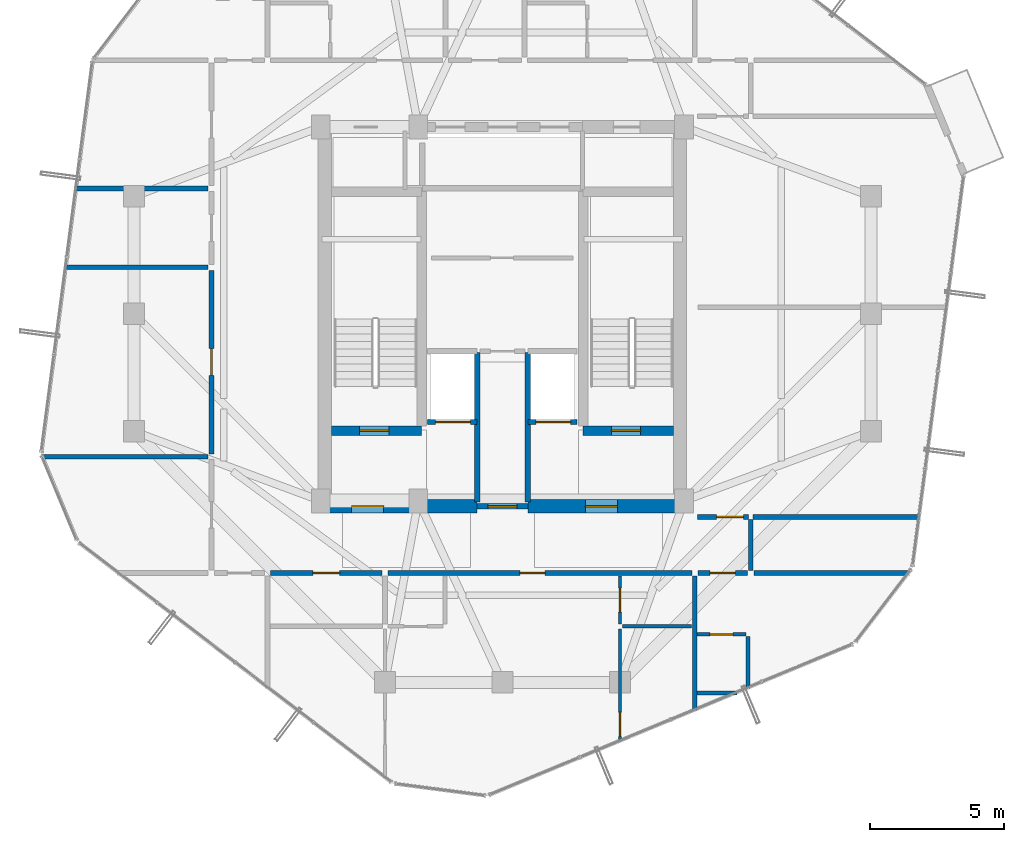
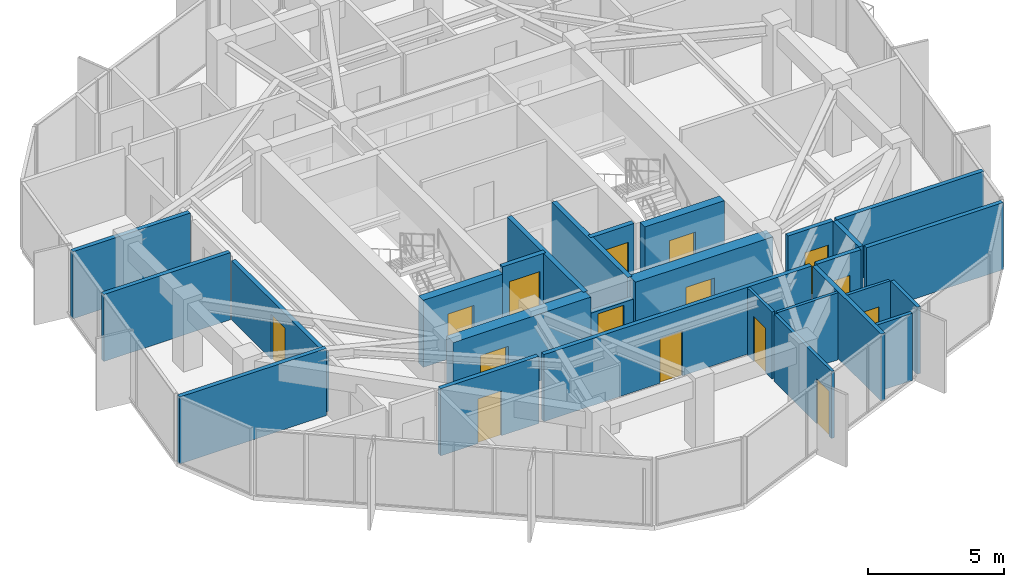
# One storey, part 27 of 31: 27 walls, 15 doors, 15 openings.
"""IFC4 building model written with IfcOpenShell, lengths in metres."""

from ifc_helpers import new_model, si_unit, direction, frame, frame_2d, origin, place, context, subcontext, project, spatial, rectangle, extrude, source, transform, mapped, material, layer, layer_set, type_object, element, fill, save


model = new_model("IFC4")

# Units and contexts
model_context = context("Model", 3, precision=1e-05, world=origin(), true_north=direction((0.0, 1.0)))
body_context = subcontext(model_context, "Body", "Model", "MODEL_VIEW")
ifc_project = project(units=[si_unit("LENGTHUNIT", "METRE"), si_unit("AREAUNIT", "SQUARE_METRE"), si_unit("VOLUMEUNIT", "CUBIC_METRE"), si_unit("PLANEANGLEUNIT", "RADIAN"), si_unit("MASSUNIT", "GRAM", prefix="KILO")], contexts=[model_context])

# Site, building, storey
site_placement = place(None, origin())
site = spatial("IfcSite", under=ifc_project, at=site_placement, CompositionType="ELEMENT")
building_placement = place(site_placement, origin())
building = spatial("IfcBuilding", under=site, at=building_placement, Name="Veraguas Prism Commons", CompositionType="ELEMENT")
storey_placement = place(building_placement, frame((0.0, 0.0, 233.300048828125)))
storey = spatial("IfcBuildingStorey", under=building, at=storey_placement, Name="L66", CompositionType="ELEMENT", Elevation=233.300048828125)

# Wall, opening, door
ifc_material_1 = material(Name="Concrete C50/60", Category="concrete")
ifc_layer_1 = layer(ifc_material_1, 0.35009765625, Name="Core Internal Shear Wall Upper RC 350", Category="concrete")
ifc_layer_set_1 = layer_set([ifc_layer_1], Name="Concrete C50/60")
wall_type_1 = type_object("IfcWallType", Name="Core Internal Shear Wall Upper RC 350", PredefinedType="SHEAR", material=ifc_layer_set_1)
wall_1_placement = place(storey_placement, frame((17.60009765625, 19.625, 0.0), z_axis=(0.0, 0.0, 1.0), x_axis=(1.0, 0.0, 0.0)))
wall_1 = element("IfcWall", 1, at=wall_1_placement, inside=storey, type_object=wall_type_1, Name="Stair ST-01 South Shear Wall L66", PredefinedType="SHEAR", context=body_context, shape_type="SweptSolid", body=[
    extrude(rectangle(XDim=3.375, YDim=0.35009765625, at=frame_2d((1.6875, 0.0))), origin(), (0.0, 0.0, 1.0), 3.014892578125),
])
opening_1_placement = place(wall_1_placement, frame((1.050048828125, 0.0, 0.0)))
opening_1 = element("IfcOpeningElement", 2, at=opening_1_placement, cuts=wall_1, Name="Opening DR-05", PredefinedType="OPENING", context=body_context, shape_type="SweptSolid", body=[
    extrude(rectangle(XDim=1.10009765625, YDim=2.030029296875, at=frame_2d((0.550048828125, 1.01513671875))), frame((0.0, 0.18505859375, 0.0), z_axis=(0.0, -1.0, 0.0), x_axis=(1.0, 0.0, 0.0)), (0.0, 0.0, 1.0), 0.3701171875),
])
ifc_material_2 = material(Name="Steel fire-rated door assembly", Category="steel")
door_type_1 = type_object("IfcDoorType", Name="Protected Stair and Refuge Fire Door 1100x2030", OperationType="NOTDEFINED", PredefinedType="DOOR", material=ifc_material_2)
shared_shape_1 = source(origin(), body_context, "Body", "SweptSolid", [
    extrude(rectangle(XDim=1.10009765625, YDim=2.030029296875, at=frame_2d((0.550048828125, 1.01513671875))), frame((0.0, 0.02490234375, 0.0), z_axis=(0.0, -1.0, 0.0), x_axis=(1.0, 0.0, 0.0)), (0.0, 0.0, 1.0), 0.050048828125),
])
door_1_placement = place(opening_1_placement, origin())
door_1 = element("IfcDoor", 3, at=door_1_placement, inside=storey, type_object=door_type_1, Name="Stair ST-01 Enclosure Door L66", OperationType="SINGLE_SWING_LEFT", OverallHeight=2.030029296875, OverallWidth=1.10009765625, PredefinedType="DOOR", context=body_context, shape_type="MappedRepresentation", body=[
    mapped(shared_shape_1, transform((0.0, 0.0, 0.0), scale=1.0)),
])
fill(opening_1, door_1)

wall_2_placement = place(storey_placement, frame((27.02490234375, 19.625, 0.0), z_axis=(0.0, 0.0, 1.0), x_axis=(1.0, 0.0, 0.0)))
wall_2 = element("IfcWall", 4, at=wall_2_placement, inside=storey, type_object=wall_type_1, Name="Stair ST-02 South Shear Wall L66", PredefinedType="SHEAR", context=body_context, shape_type="SweptSolid", body=[
    extrude(rectangle(XDim=3.375, YDim=0.35009765625, at=frame_2d((1.6875, 0.0))), origin(), (0.0, 0.0, 1.0), 3.014892578125),
])
opening_2_placement = place(wall_2_placement, frame((1.050048828125, 0.0, 0.0)))
opening_2 = element("IfcOpeningElement", 5, at=opening_2_placement, cuts=wall_2, Name="Opening DR-05", PredefinedType="OPENING", context=body_context, shape_type="SweptSolid", body=[
    extrude(rectangle(XDim=1.10009765625, YDim=2.030029296875, at=frame_2d((0.550048828125, 1.01513671875))), frame((0.0, 0.18505859375, 0.0), z_axis=(0.0, -1.0, 0.0), x_axis=(1.0, 0.0, 0.0)), (0.0, 0.0, 1.0), 0.3701171875),
])
door_2_placement = place(opening_2_placement, origin())
door_2 = element("IfcDoor", 6, at=door_2_placement, inside=storey, type_object=door_type_1, Name="Stair ST-02 Enclosure Door L66", OperationType="SINGLE_SWING_RIGHT", OverallHeight=2.030029296875, OverallWidth=1.10009765625, PredefinedType="DOOR", context=body_context, shape_type="MappedRepresentation", body=[
    mapped(shared_shape_1, transform((0.0, 0.0, 0.0), scale=1.0)),
])
fill(opening_2, door_2)

ifc_layer_2 = layer(ifc_material_1, 0.5, Name="Core Outer Shear Wall Upper RC 500", Category="concrete")
ifc_layer_set_2 = layer_set([ifc_layer_2], Name="Concrete C50/60")
wall_type_2 = type_object("IfcWallType", Name="Core Outer Shear Wall Upper RC 500", PredefinedType="SHEAR", material=ifc_layer_set_2)
wall_3_placement = place(storey_placement, frame((17.199951171875, 16.800048828125, 0.0), z_axis=(0.0, 0.0, 1.0), x_axis=(1.0, 0.0, 0.0)))
wall_3 = element("IfcWall", 7, at=wall_3_placement, inside=storey, type_object=wall_type_2, Name="Central Core South-West Shear Wall L66", PredefinedType="SHEAR", context=body_context, shape_type="SweptSolid", body=[
    extrude(rectangle(XDim=5.85009765625, YDim=0.5, at=frame_2d((2.925048828125, 0.0))), origin(), (0.0, 0.0, 1.0), 3.014892578125),
])
opening_3_placement = place(wall_3_placement, frame((1.14990234375, 0.0, 0.0)))
opening_3 = element("IfcOpeningElement", 8, at=opening_3_placement, cuts=wall_3, Name="Opening DR-06", PredefinedType="OPENING", context=body_context, shape_type="SweptSolid", body=[
    extrude(rectangle(XDim=1.199951171875, YDim=2.030029296875, at=frame_2d((0.60009765625, 1.01513671875))), frame((0.0, 0.260009765625, 0.0), z_axis=(0.0, -1.0, 0.0), x_axis=(1.0, 0.0, 0.0)), (0.0, 0.0, 1.0), 0.52001953125),
])
door_type_2 = type_object("IfcDoorType", Name="Firefighting Lobby Smoke Door 1200x2030", OperationType="NOTDEFINED", PredefinedType="DOOR", material=ifc_material_2)
shared_shape_2 = source(origin(), body_context, "Body", "SweptSolid", [
    extrude(rectangle(XDim=1.199951171875, YDim=2.030029296875, at=frame_2d((0.60009765625, 1.01513671875))), frame((0.0, 0.02490234375, 0.0), z_axis=(0.0, -1.0, 0.0), x_axis=(1.0, 0.0, 0.0)), (0.0, 0.0, 1.0), 0.050048828125),
])
door_3_placement = place(opening_3_placement, origin())
door_3 = element("IfcDoor", 9, at=door_3_placement, inside=storey, type_object=door_type_2, Name="West FF Lobby Door L66", OperationType="SINGLE_SWING_RIGHT", OverallHeight=2.030029296875, OverallWidth=1.199951171875, PredefinedType="DOOR", context=body_context, shape_type="MappedRepresentation", body=[
    mapped(shared_shape_2, transform((0.0, 0.0, 0.0), scale=1.0)),
])
fill(opening_3, door_3)

wall_4_placement = place(storey_placement, frame((24.949951171875, 16.800048828125, 0.0), z_axis=(0.0, 0.0, 1.0), x_axis=(1.0, 0.0, 0.0)))
wall_4 = element("IfcWall", 10, at=wall_4_placement, inside=storey, type_object=wall_type_2, Name="Central Core South-East Shear Wall L66", PredefinedType="SHEAR", context=body_context, shape_type="SweptSolid", body=[
    extrude(rectangle(XDim=5.85009765625, YDim=0.5, at=frame_2d((2.925048828125, 0.0))), origin(), (0.0, 0.0, 1.0), 3.014892578125),
])
opening_4_placement = place(wall_4_placement, frame((2.14990234375, 0.0, 0.0)))
opening_4 = element("IfcOpeningElement", 11, at=opening_4_placement, cuts=wall_4, Name="Opening DR-06", PredefinedType="OPENING", context=body_context, shape_type="SweptSolid", body=[
    extrude(rectangle(XDim=1.199951171875, YDim=2.030029296875, at=frame_2d((0.60009765625, 1.01513671875))), frame((0.0, 0.260009765625, 0.0), z_axis=(0.0, -1.0, 0.0), x_axis=(1.0, 0.0, 0.0)), (0.0, 0.0, 1.0), 0.52001953125),
])
door_4_placement = place(opening_4_placement, origin())
door_4 = element("IfcDoor", 12, at=door_4_placement, inside=storey, type_object=door_type_2, Name="East FF Lobby Door L66", OperationType="SINGLE_SWING_RIGHT", OverallHeight=2.030029296875, OverallWidth=1.199951171875, PredefinedType="DOOR", context=body_context, shape_type="MappedRepresentation", body=[
    mapped(shared_shape_2, transform((0.0, 0.0, 0.0), scale=1.0)),
])
fill(opening_4, door_4)

# Wall
ifc_material_3 = material(Name="Autoclaved aerated masonry block 10 MPa", Category="masonry")
ifc_layer_3 = layer(ifc_material_3, 0.179931640625, Name="Corridor and Inter-Tenancy Partition 180", Category="masonry")
ifc_layer_set_3 = layer_set([ifc_layer_3], Name="Autoclaved aerated masonry block 10 MPa")
wall_type_3 = type_object("IfcWallType", Name="Corridor and Inter-Tenancy Partition 180", PredefinedType="PARTITIONING", material=ifc_layer_set_3)
wall_5_placement = place(storey_placement, frame((31.199951171875, 14.179931640625, 0.0), z_axis=(0.0, 0.0, 1.0), x_axis=(0.0, -1.0, 0.0)))
element("IfcWall", 13, at=wall_5_placement, inside=storey, type_object=wall_type_3, Name="WL-L66-PT002", PredefinedType="PARTITIONING", context=body_context, shape_type="SweptSolid", body=[
    extrude(rectangle(XDim=5.03955078125, YDim=0.179931640625, at=frame_2d((2.519775390625, 0.0))), origin(), (0.0, 0.0, 1.0), 3.014892578125),
])

# Wall, opening, door
wall_6_placement = place(storey_placement, frame((15.31005859375, 14.300048828125, 0.0), z_axis=(0.0, 0.0, 1.0), x_axis=(1.0, 0.0, 0.0)))
wall_6 = element("IfcWall", 14, at=wall_6_placement, inside=storey, type_object=wall_type_3, Name="WL-L66-PT003", PredefinedType="PARTITIONING", context=body_context, shape_type="SweptSolid", body=[
    extrude(rectangle(XDim=4.179931640625, YDim=0.179931640625, at=frame_2d((2.08984375, 0.0))), origin(), (0.0, 0.0, 1.0), 3.014892578125),
])
opening_5_placement = place(wall_6_placement, frame((1.590087890625, 0.0, 0.0)))
opening_5 = element("IfcOpeningElement", 15, at=opening_5_placement, cuts=wall_6, Name="Opening DR-13", PredefinedType="OPENING", context=body_context, shape_type="SweptSolid", body=[
    extrude(rectangle(XDim=1.0, YDim=2.010009765625, at=frame_2d((0.5, 1.0048828125))), frame((0.0, 0.099853515625, 0.0), z_axis=(0.0, -1.0, 0.0), x_axis=(1.0, 0.0, 0.0)), (0.0, 0.0, 1.0), 0.199951171875),
])
door_type_3 = type_object("IfcDoorType", Name="Core Accessible WC and Clinic Fire Door 1000x2010", OperationType="NOTDEFINED", PredefinedType="DOOR", material=ifc_material_2)
shared_shape_3 = source(origin(), body_context, "Body", "SweptSolid", [
    extrude(rectangle(XDim=1.0, YDim=2.010009765625, at=frame_2d((0.5, 1.0048828125))), frame((0.0, 0.02490234375, 0.0), z_axis=(0.0, -1.0, 0.0), x_axis=(1.0, 0.0, 0.0)), (0.0, 0.0, 1.0), 0.050048828125),
])
door_5_placement = place(opening_5_placement, origin())
door_5 = element("IfcDoor", 16, at=door_5_placement, inside=storey, type_object=door_type_3, Name="Residents Study Alcove 66A Door", OperationType="SINGLE_SWING_LEFT", OverallHeight=2.010009765625, OverallWidth=1.0, PredefinedType="DOOR", context=body_context, shape_type="MappedRepresentation", body=[
    mapped(shared_shape_3, transform((0.0, 0.0, 0.0), scale=1.0)),
])
fill(opening_5, door_5)

wall_7_placement = place(storey_placement, frame((19.7099609375, 14.300048828125, 0.0), z_axis=(0.0, 0.0, 1.0), x_axis=(1.0, 0.0, 0.0)))
wall_7 = element("IfcWall", 17, at=wall_7_placement, inside=storey, type_object=wall_type_3, Name="WL-L66-PT004", PredefinedType="PARTITIONING", context=body_context, shape_type="SweptSolid", body=[
    extrude(rectangle(XDim=11.380126953125, YDim=0.179931640625, at=frame_2d((5.68994140625, 0.0))), origin(), (0.0, 0.0, 1.0), 3.014892578125),
])
opening_6_placement = place(wall_7_placement, frame((4.93994140625, 0.0, 0.0)))
opening_6 = element("IfcOpeningElement", 18, at=opening_6_placement, cuts=wall_7, Name="Opening DR-01", PredefinedType="OPENING", context=body_context, shape_type="SweptSolid", body=[
    extrude(rectangle(XDim=0.949951171875, YDim=2.02001953125, at=frame_2d((0.47509765625, 1.010009765625))), frame((0.0, 0.099853515625, 0.0), z_axis=(0.0, -1.0, 0.0), x_axis=(1.0, 0.0, 0.0)), (0.0, 0.0, 1.0), 0.199951171875),
])
ifc_material_4 = material(Name="Anodised aluminium EN AW-6063 T6", Category="aluminium")
door_type_4 = type_object("IfcDoorType", Name="Apartment Entrance Fire Door 950x2020", OperationType="NOTDEFINED", PredefinedType="DOOR", material=ifc_material_4)
shared_shape_4 = source(origin(), body_context, "Body", "SweptSolid", [
    extrude(rectangle(XDim=0.949951171875, YDim=2.02001953125, at=frame_2d((0.47509765625, 1.010009765625))), frame((0.0, 0.02490234375, 0.0), z_axis=(0.0, -1.0, 0.0), x_axis=(1.0, 0.0, 0.0)), (0.0, 0.0, 1.0), 0.050048828125),
])
door_6_placement = place(opening_6_placement, origin())
door_6 = element("IfcDoor", 19, at=door_6_placement, inside=storey, type_object=door_type_4, Name="Flat 66A Entrance Door", OperationType="SINGLE_SWING_RIGHT", OverallHeight=2.02001953125, OverallWidth=0.949951171875, PredefinedType="DOOR", context=body_context, shape_type="MappedRepresentation", body=[
    mapped(shared_shape_4, transform((0.0, 0.0, 0.0), scale=1.0)),
])
fill(opening_6, door_6)

wall_8_placement = place(storey_placement, frame((13.10009765625, 18.759033203125, 0.0), z_axis=(0.0, 0.0, 1.0), x_axis=(0.0, 1.0, 0.0)))
wall_8 = element("IfcWall", 20, at=wall_8_placement, inside=storey, type_object=wall_type_3, Name="WL-L66-PT027", PredefinedType="PARTITIONING", context=body_context, shape_type="SweptSolid", body=[
    extrude(rectangle(XDim=6.875, YDim=0.179931640625, at=frame_2d((3.4375, 0.0))), origin(), (0.0, 0.0, 1.0), 2.661865234375),
])
opening_7_placement = place(wall_8_placement, frame((2.9375, 0.0, 0.0)))
opening_7 = element("IfcOpeningElement", 21, at=opening_7_placement, cuts=wall_8, Name="Opening DR-13", PredefinedType="OPENING", context=body_context, shape_type="SweptSolid", body=[
    extrude(rectangle(XDim=1.0, YDim=2.010009765625, at=frame_2d((0.5, 1.0048828125))), frame((0.0, 0.099853515625, 0.0), z_axis=(0.0, -1.0, 0.0), x_axis=(1.0, 0.0, 0.0)), (0.0, 0.0, 1.0), 0.199951171875),
])
door_7_placement = place(opening_7_placement, origin())
door_7 = element("IfcDoor", 22, at=door_7_placement, inside=storey, type_object=door_type_3, Name="Co-op Store W Door", OperationType="SINGLE_SWING_LEFT", OverallHeight=2.010009765625, OverallWidth=1.0, PredefinedType="DOOR", context=body_context, shape_type="MappedRepresentation", body=[
    mapped(shared_shape_3, transform((0.0, 0.0, 0.0), scale=1.0)),
])
fill(opening_7, door_7)

# Walls
wall_9_placement = place(storey_placement, frame((12.97998046875, 18.64892578125, 0.0), z_axis=(0.0, 0.0, 1.0), x_axis=(-1.0, 0.0, 0.0)))
element("IfcWall", 23, at=wall_9_placement, inside=storey, type_object=wall_type_3, Name="WL-L66-PT028", PredefinedType="PARTITIONING", context=body_context, shape_type="SweptSolid", body=[
    extrude(rectangle(XDim=6.24951171875, YDim=0.179931640625, at=frame_2d((3.124755859375, 0.0))), origin(), (0.0, 0.0, 1.0), 3.014892578125),
])
wall_10_placement = place(storey_placement, frame((12.97998046875, 25.743896484375, 0.0), z_axis=(0.0, 0.0, 1.0), x_axis=(-1.0, 0.0, 0.0)))
element("IfcWall", 24, at=wall_10_placement, inside=storey, type_object=wall_type_3, Name="WL-L66-PT029", PredefinedType="PARTITIONING", context=body_context, shape_type="SweptSolid", body=[
    extrude(rectangle(XDim=5.376708984375, YDim=0.179931640625, at=frame_2d((2.6884765625, 0.0))), origin(), (0.0, 0.0, 1.0), 3.014892578125),
])
wall_11_placement = place(storey_placement, frame((12.97998046875, 28.69091796875, 0.0), z_axis=(0.0, 0.0, 1.0), x_axis=(-1.0, 0.0, 0.0)))
element("IfcWall", 25, at=wall_11_placement, inside=storey, type_object=wall_type_3, Name="WL-L66-PT032", PredefinedType="PARTITIONING", context=body_context, shape_type="SweptSolid", body=[
    extrude(rectangle(XDim=4.990966796875, YDim=0.179931640625, at=frame_2d((2.49560546875, 0.0))), origin(), (0.0, 0.0, 1.0), 3.014892578125),
])
wall_12_placement = place(storey_placement, frame((33.300048828125, 14.39990234375, 0.0), z_axis=(0.0, 0.0, 1.0), x_axis=(0.0, 1.0, 0.0)))
element("IfcWall", 26, at=wall_12_placement, inside=storey, type_object=wall_type_3, Name="WL-L66-PT034", PredefinedType="PARTITIONING", context=body_context, shape_type="SweptSolid", body=[
    extrude(rectangle(XDim=1.900146484375, YDim=0.179931640625, at=frame_2d((0.9501953125, 0.0))), origin(), (0.0, 0.0, 1.0), 3.014892578125),
])

# Wall, opening, door
wall_13_placement = place(storey_placement, frame((31.300048828125, 16.39990234375, 0.0), z_axis=(0.0, 0.0, 1.0), x_axis=(1.0, 0.0, 0.0)))
wall_13 = element("IfcWall", 27, at=wall_13_placement, inside=storey, type_object=wall_type_3, Name="WL-L66-PT036", PredefinedType="PARTITIONING", context=body_context, shape_type="SweptSolid", body=[
    extrude(rectangle(XDim=1.919921875, YDim=0.179931640625, at=frame_2d((0.9599609375, 0.0))), origin(), (0.0, 0.0, 1.0), 3.014892578125),
])
opening_8_placement = place(wall_13_placement, frame((0.719970703125, 0.0, 0.0)))
opening_8 = element("IfcOpeningElement", 28, at=opening_8_placement, cuts=wall_13, Name="Opening DR-13", PredefinedType="OPENING", context=body_context, shape_type="SweptSolid", body=[
    extrude(rectangle(XDim=1.0, YDim=2.010009765625, at=frame_2d((0.5, 1.0048828125))), frame((0.0, 0.099853515625, 0.0), z_axis=(0.0, -1.0, 0.0), x_axis=(1.0, 0.0, 0.0)), (0.0, 0.0, 1.0), 0.199951171875),
])
door_8_placement = place(opening_8_placement, origin())
door_8 = element("IfcDoor", 29, at=door_8_placement, inside=storey, type_object=door_type_3, Name="Panorama Lounge Door L66", OperationType="SINGLE_SWING_RIGHT", OverallHeight=2.010009765625, OverallWidth=1.0, PredefinedType="DOOR", context=body_context, shape_type="MappedRepresentation", body=[
    mapped(shared_shape_3, transform((0.0, 0.0, 0.0), scale=1.0)),
])
fill(opening_8, door_8)

# Walls
wall_14_placement = place(storey_placement, frame((33.3798828125, 16.39990234375, 0.0), z_axis=(0.0, 0.0, 1.0), x_axis=(1.0, 0.0, 0.0)))
element("IfcWall", 30, at=wall_14_placement, inside=storey, type_object=wall_type_3, Name="WL-L66-PT037", PredefinedType="PARTITIONING", context=body_context, shape_type="SweptSolid", body=[
    extrude(rectangle(XDim=6.25, YDim=0.179931640625, at=frame_2d((3.125, 0.0))), origin(), (0.0, 0.0, 1.0), 3.014892578125),
])
wall_15_placement = place(storey_placement, frame((33.419921875, 14.300048828125, 0.0), z_axis=(0.0, 0.0, 1.0), x_axis=(1.0, 0.0, 0.0)))
element("IfcWall", 31, at=wall_15_placement, inside=storey, type_object=wall_type_3, Name="WL-L66-PT041", PredefinedType="PARTITIONING", context=body_context, shape_type="SweptSolid", body=[
    extrude(rectangle(XDim=5.826171875, YDim=0.179931640625, at=frame_2d((2.9130859375, 0.0))), origin(), (0.0, 0.0, 1.0), 3.014892578125),
])

# Wall, opening, door
wall_16_placement = place(storey_placement, frame((31.320068359375, 14.300048828125, 0.0), z_axis=(0.0, 0.0, 1.0), x_axis=(1.0, 0.0, 0.0)))
wall_16 = element("IfcWall", 32, at=wall_16_placement, inside=storey, type_object=wall_type_3, Name="WL-L66-PT042", PredefinedType="PARTITIONING", context=body_context, shape_type="SweptSolid", body=[
    extrude(rectangle(XDim=1.85986328125, YDim=0.179931640625, at=frame_2d((0.929931640625, 0.0))), origin(), (0.0, 0.0, 1.0), 3.014892578125),
])
opening_9_placement = place(wall_16_placement, frame((0.455078125, 0.0, 0.0)))
opening_9 = element("IfcOpeningElement", 33, at=opening_9_placement, cuts=wall_16, Name="Opening DR-01", PredefinedType="OPENING", context=body_context, shape_type="SweptSolid", body=[
    extrude(rectangle(XDim=0.949951171875, YDim=2.02001953125, at=frame_2d((0.47509765625, 1.010009765625))), frame((0.0, 0.099853515625, 0.0), z_axis=(0.0, -1.0, 0.0), x_axis=(1.0, 0.0, 0.0)), (0.0, 0.0, 1.0), 0.199951171875),
])
door_9_placement = place(opening_9_placement, origin())
door_9 = element("IfcDoor", 34, at=door_9_placement, inside=storey, type_object=door_type_4, Name="Studio 66D Entrance Door", OperationType="SINGLE_SWING_LEFT", OverallHeight=2.02001953125, OverallWidth=0.949951171875, PredefinedType="DOOR", context=body_context, shape_type="MappedRepresentation", body=[
    mapped(shared_shape_4, transform((0.0, 0.0, 0.0), scale=1.0)),
])
fill(opening_9, door_9)

ifc_material_5 = material(Name="Lightweight acoustic gypsum board")
ifc_layer_4 = layer(ifc_material_5, 0.125, Name="Internal Apartment Room Partition 125")
ifc_layer_set_4 = layer_set([ifc_layer_4], Name="Lightweight acoustic gypsum board")
wall_type_4 = type_object("IfcWallType", Name="Internal Apartment Room Partition 125", PredefinedType="PARTITIONING", material=ifc_layer_set_4)
wall_17_placement = place(storey_placement, frame((28.39990234375, 14.179931640625, 0.0), z_axis=(0.0, 0.0, 1.0), x_axis=(0.0, -1.0, 0.0)))
wall_17 = element("IfcWall", 35, at=wall_17_placement, inside=storey, type_object=wall_type_4, Name="WL-L66-PT010", PredefinedType="PARTITIONING", context=body_context, shape_type="SweptSolid", body=[
    extrude(rectangle(XDim=1.800048828125, YDim=0.125, at=frame_2d((0.89990234375, 0.0))), origin(), (0.0, 0.0, 1.0), 3.014892578125),
])
opening_10_placement = place(wall_17_placement, frame((0.449951171875, 0.0, 0.0)))
opening_10 = element("IfcOpeningElement", 36, at=opening_10_placement, cuts=wall_17, Name="Opening DR-02", PredefinedType="OPENING", context=body_context, shape_type="SweptSolid", body=[
    extrude(rectangle(XDim=0.89990234375, YDim=2.010009765625, at=frame_2d((0.449951171875, 1.0048828125))), frame((0.0, 0.072509765625, 0.0), z_axis=(0.0, -1.0, 0.0), x_axis=(1.0, 0.0, 0.0)), (0.0, 0.0, 1.0), 0.14501953125),
])
ifc_material_6 = material(Name="Timber solid core hardwood", Category="wood")
door_type_5 = type_object("IfcDoorType", Name="Internal Habitable Room Door 900x2010", OperationType="NOTDEFINED", PredefinedType="DOOR", material=ifc_material_6)
shared_shape_5 = source(origin(), body_context, "Body", "SweptSolid", [
    extrude(rectangle(XDim=0.89990234375, YDim=2.010009765625, at=frame_2d((0.449951171875, 1.0048828125))), frame((0.0, 0.02490234375, 0.0), z_axis=(0.0, -1.0, 0.0), x_axis=(1.0, 0.0, 0.0)), (0.0, 0.0, 1.0), 0.050048828125),
])
door_10_placement = place(opening_10_placement, origin())
door_10 = element("IfcDoor", 37, at=door_10_placement, inside=storey, type_object=door_type_5, Name="Flat 66A Kitchen Door", OperationType="SINGLE_SWING_LEFT", OverallHeight=2.010009765625, OverallWidth=0.89990234375, PredefinedType="DOOR", context=body_context, shape_type="MappedRepresentation", body=[
    mapped(shared_shape_5, transform((0.0, 0.0, 0.0), scale=1.0)),
])
fill(opening_10, door_10)

# Wall
wall_18_placement = place(storey_placement, frame((28.5, 12.300048828125, 0.0), z_axis=(0.0, 0.0, 1.0), x_axis=(1.0, 0.0, 0.0)))
element("IfcWall", 38, at=wall_18_placement, inside=storey, type_object=wall_type_4, Name="WL-L66-PT011", PredefinedType="PARTITIONING", context=body_context, shape_type="SweptSolid", body=[
    extrude(rectangle(XDim=2.580078125, YDim=0.125, at=frame_2d((1.2900390625, 0.0))), origin(), (0.0, 0.0, 1.0), 3.014892578125),
])

# Wall, opening, door
wall_19_placement = place(storey_placement, frame((28.39990234375, 12.199951171875, 0.0), z_axis=(0.0, 0.0, 1.0), x_axis=(0.0, -1.0, 0.0)))
wall_19 = element("IfcWall", 39, at=wall_19_placement, inside=storey, type_object=wall_type_4, Name="WL-L66-PT012", PredefinedType="PARTITIONING", context=body_context, shape_type="SweptSolid", body=[
    extrude(rectangle(XDim=4.2216796875, YDim=0.125, at=frame_2d((2.11083984375, 0.0))), origin(), (0.0, 0.0, 1.0), 3.014892578125),
])
opening_11_placement = place(wall_19_placement, frame((3.12158203125, 0.0, 0.0)))
opening_11 = element("IfcOpeningElement", 40, at=opening_11_placement, cuts=wall_19, Name="Opening DR-02", PredefinedType="OPENING", context=body_context, shape_type="SweptSolid", body=[
    extrude(rectangle(XDim=0.89990234375, YDim=2.010009765625, at=frame_2d((0.449951171875, 1.0048828125))), frame((0.0, 0.072509765625, 0.0), z_axis=(0.0, -1.0, 0.0), x_axis=(1.0, 0.0, 0.0)), (0.0, 0.0, 1.0), 0.14501953125),
])
door_11_placement = place(opening_11_placement, origin())
door_11 = element("IfcDoor", 41, at=door_11_placement, inside=storey, type_object=door_type_5, Name="Flat 66A Bedroom 1 Door", OperationType="SINGLE_SWING_RIGHT", OverallHeight=2.010009765625, OverallWidth=0.89990234375, PredefinedType="DOOR", context=body_context, shape_type="MappedRepresentation", body=[
    mapped(shared_shape_5, transform((0.0, 0.0, 0.0), scale=1.0)),
])
fill(opening_11, door_11)

wall_20_placement = place(storey_placement, frame((31.280029296875, 12.0, 0.0), z_axis=(0.0, 0.0, 1.0), x_axis=(1.0, 0.0, 0.0)))
wall_20 = element("IfcWall", 42, at=wall_20_placement, inside=storey, type_object=wall_type_4, Name="WL-L66-PT043", PredefinedType="PARTITIONING", context=body_context, shape_type="SweptSolid", body=[
    extrude(rectangle(XDim=1.840087890625, YDim=0.125, at=frame_2d((0.919921875, 0.0))), origin(), (0.0, 0.0, 1.0), 3.014892578125),
])
opening_12_placement = place(wall_20_placement, frame((0.489990234375, 0.0, 0.0)))
opening_12 = element("IfcOpeningElement", 43, at=opening_12_placement, cuts=wall_20, Name="Opening DR-03", PredefinedType="OPENING", context=body_context, shape_type="SweptSolid", body=[
    extrude(rectangle(XDim=0.860107421875, YDim=2.010009765625, at=frame_2d((0.43017578125, 1.0048828125))), frame((0.0, 0.072509765625, 0.0), z_axis=(0.0, -1.0, 0.0), x_axis=(1.0, 0.0, 0.0)), (0.0, 0.0, 1.0), 0.14501953125),
])
ifc_material_7 = material(Name="Timber moisture-resistant leaf", Category="wood")
door_type_6 = type_object("IfcDoorType", Name="Internal Bathroom Door 860x2010", OperationType="NOTDEFINED", PredefinedType="DOOR", material=ifc_material_7)
shared_shape_6 = source(origin(), body_context, "Body", "SweptSolid", [
    extrude(rectangle(XDim=0.860107421875, YDim=2.010009765625, at=frame_2d((0.43017578125, 1.0048828125))), frame((0.0, 0.02490234375, 0.0), z_axis=(0.0, -1.0, 0.0), x_axis=(1.0, 0.0, 0.0)), (0.0, 0.0, 1.0), 0.050048828125),
])
door_12_placement = place(opening_12_placement, origin())
door_12 = element("IfcDoor", 44, at=door_12_placement, inside=storey, type_object=door_type_6, Name="Studio 66D Bathroom Door", OperationType="SINGLE_SWING_RIGHT", OverallHeight=2.010009765625, OverallWidth=0.860107421875, PredefinedType="DOOR", context=body_context, shape_type="MappedRepresentation", body=[
    mapped(shared_shape_6, transform((0.0, 0.0, 0.0), scale=1.0)),
])
fill(opening_12, door_12)

ifc_layer_5 = layer(ifc_material_3, 0.199951171875, Name="Rated Shaft and Lobby Block Wall 200", Category="masonry")
ifc_layer_set_5 = layer_set([ifc_layer_5], Name="Autoclaved aerated masonry block 10 MPa")
wall_type_5 = type_object("IfcWallType", Name="Rated Shaft and Lobby Block Wall 200", PredefinedType="SOLIDWALL", material=ifc_layer_set_5)
wall_21_placement = place(storey_placement, frame((23.050048828125, 16.800048828125, 0.0), z_axis=(0.0, 0.0, 1.0), x_axis=(1.0, 0.0, 0.0)))
wall_21 = element("IfcWall", 45, at=wall_21_placement, inside=storey, type_object=wall_type_5, Name="Central Core Lobby Entrance Wall L66", PredefinedType="SOLIDWALL", context=body_context, shape_type="SweptSolid", body=[
    extrude(rectangle(XDim=1.89990234375, YDim=0.199951171875, at=frame_2d((0.949951171875, 0.0))), origin(), (0.0, 0.0, 1.0), 2.1650390625),
])
opening_13_placement = place(wall_21_placement, frame((0.39990234375, 0.0, 0.0)))
opening_13 = element("IfcOpeningElement", 46, at=opening_13_placement, cuts=wall_21, Name="Opening DR-05", PredefinedType="OPENING", context=body_context, shape_type="SweptSolid", body=[
    extrude(rectangle(XDim=1.10009765625, YDim=2.030029296875, at=frame_2d((0.550048828125, 1.01513671875))), frame((0.0, 0.10986328125, 0.0), z_axis=(0.0, -1.0, 0.0), x_axis=(1.0, 0.0, 0.0)), (0.0, 0.0, 1.0), 0.219970703125),
])
door_13_placement = place(opening_13_placement, origin())
door_13 = element("IfcDoor", 47, at=door_13_placement, inside=storey, type_object=door_type_1, Name="Central Lobby Door L66", OperationType="SINGLE_SWING_LEFT", OverallHeight=2.030029296875, OverallWidth=1.10009765625, PredefinedType="DOOR", context=body_context, shape_type="MappedRepresentation", body=[
    mapped(shared_shape_1, transform((0.0, 0.0, 0.0), scale=1.0)),
])
fill(opening_13, door_13)

wall_22_placement = place(storey_placement, frame((21.199951171875, 19.949951171875, 0.0), z_axis=(0.0, 0.0, 1.0), x_axis=(1.0, 0.0, 0.0)))
wall_22 = element("IfcWall", 48, at=wall_22_placement, inside=storey, type_object=wall_type_5, Name="Firefighting Lift FFL-1 Front Wall L66", PredefinedType="SOLIDWALL", context=body_context, shape_type="SweptSolid", body=[
    extrude(rectangle(XDim=1.85009765625, YDim=0.199951171875, at=frame_2d((0.925048828125, 0.0))), origin(), (0.0, 0.0, 1.0), 3.014892578125),
])
opening_14_placement = place(wall_22_placement, frame((0.300048828125, 0.0, 0.0)))
opening_14 = element("IfcOpeningElement", 49, at=opening_14_placement, cuts=wall_22, Name="Opening LD-02", PredefinedType="OPENING", context=body_context, shape_type="SweptSolid", body=[
    extrude(rectangle(XDim=1.300048828125, YDim=2.25, at=frame_2d((0.64990234375, 1.125))), frame((0.0, 0.10986328125, 0.0), z_axis=(0.0, -1.0, 0.0), x_axis=(1.0, 0.0, 0.0)), (0.0, 0.0, 1.0), 0.219970703125),
])
ifc_material_8 = material(Name="Stainless steel AISI 316", Category="steel")
door_type_7 = type_object("IfcDoorType", Name="Firefighting Lift Sliding Landing Door 1300x2250", OperationType="NOTDEFINED", PredefinedType="DOOR", material=ifc_material_8)
shared_shape_7 = source(origin(), body_context, "Body", "SweptSolid", [
    extrude(rectangle(XDim=1.300048828125, YDim=2.25, at=frame_2d((0.64990234375, 1.125))), frame((0.0, 0.02490234375, 0.0), z_axis=(0.0, -1.0, 0.0), x_axis=(1.0, 0.0, 0.0)), (0.0, 0.0, 1.0), 0.050048828125),
])
door_14_placement = place(opening_14_placement, origin())
door_14 = element("IfcDoor", 50, at=door_14_placement, inside=storey, type_object=door_type_7, Name="Firefighting Lift FFL-1 Landing Door L66", OperationType="SLIDING_TO_LEFT", OverallHeight=2.25, OverallWidth=1.300048828125, PredefinedType="DOOR", context=body_context, shape_type="MappedRepresentation", body=[
    mapped(shared_shape_7, transform((0.0, 0.0, 0.0), scale=1.0)),
])
fill(opening_14, door_14)

wall_23_placement = place(storey_placement, frame((24.949951171875, 19.949951171875, 0.0), z_axis=(0.0, 0.0, 1.0), x_axis=(1.0, 0.0, 0.0)))
wall_23 = element("IfcWall", 51, at=wall_23_placement, inside=storey, type_object=wall_type_5, Name="Firefighting Lift FFL-2 Front Wall L66", PredefinedType="SOLIDWALL", context=body_context, shape_type="SweptSolid", body=[
    extrude(rectangle(XDim=1.85009765625, YDim=0.199951171875, at=frame_2d((0.925048828125, 0.0))), origin(), (0.0, 0.0, 1.0), 3.014892578125),
])
opening_15_placement = place(wall_23_placement, frame((0.300048828125, 0.0, 0.0)))
opening_15 = element("IfcOpeningElement", 52, at=opening_15_placement, cuts=wall_23, Name="Opening LD-02", PredefinedType="OPENING", context=body_context, shape_type="SweptSolid", body=[
    extrude(rectangle(XDim=1.300048828125, YDim=2.25, at=frame_2d((0.64990234375, 1.125))), frame((0.0, 0.10986328125, 0.0), z_axis=(0.0, -1.0, 0.0), x_axis=(1.0, 0.0, 0.0)), (0.0, 0.0, 1.0), 0.219970703125),
])
door_15_placement = place(opening_15_placement, origin())
door_15 = element("IfcDoor", 53, at=door_15_placement, inside=storey, type_object=door_type_7, Name="Firefighting Lift FFL-2 Front Wall L66", OperationType="SLIDING_TO_LEFT", OverallHeight=2.25, OverallWidth=1.300048828125, PredefinedType="DOOR", context=body_context, shape_type="MappedRepresentation", body=[
    mapped(shared_shape_7, transform((0.0, 0.0, 0.0), scale=1.0)),
])
fill(opening_15, door_15)

# Walls
for number, where, z_axis, x_axis, name in (
    (54, (23.050048828125, 16.949951171875, 0.0), (0.0, 0.0, 1.0), (0.0, 1.0, 0.0), "West FF Lobby Divider Wall L66"),
    (55, (24.949951171875, 16.949951171875, 0.0), (0.0, 0.0, 1.0), (0.0, 1.0, 0.0), "East FF Lobby Divider Wall L66"),
):
    element("IfcWall", number, at=place(storey_placement, frame(where, z_axis=z_axis, x_axis=x_axis)), inside=storey, type_object=wall_type_5, Name=name, PredefinedType="SOLIDWALL", context=body_context, shape_type="SweptSolid", body=[
        extrude(rectangle(XDim=5.60009765625, YDim=0.199951171875, at=frame_2d((2.800048828125, 0.0))), origin(), (0.0, 0.0, 1.0), 3.014892578125),
    ])
ifc_layer_6 = layer(ifc_material_5, 0.14990234375, Name="Wet Room and Clinic Acoustic Partition 150")
ifc_layer_set_6 = layer_set([ifc_layer_6], Name="Lightweight acoustic gypsum board")
wall_type_6 = type_object("IfcWallType", Name="Wet Room and Clinic Acoustic Partition 150", PredefinedType="PARTITIONING", material=ifc_layer_set_6)
wall_24_placement = place(storey_placement, frame((31.280029296875, 9.800048828125, 0.0), z_axis=(0.0, 0.0, 1.0), x_axis=(1.0, 0.0, 0.0)))
element("IfcWall", 56, at=wall_24_placement, inside=storey, type_object=wall_type_6, Name="WL-L66-PT044", PredefinedType="PARTITIONING", context=body_context, shape_type="SweptSolid", body=[
    extrude(rectangle(XDim=1.50927734375, YDim=0.14990234375, at=frame_2d((0.754638671875, 0.0))), origin(), (0.0, 0.0, 1.0), 3.014892578125),
])
wall_25_placement = place(storey_placement, frame((33.199951171875, 9.970458984375, 0.0), z_axis=(0.0, 0.0, 1.0), x_axis=(0.0, 1.0, 0.0)))
element("IfcWall", 57, at=wall_25_placement, inside=storey, type_object=wall_type_6, Name="WL-L66-PT045", PredefinedType="PARTITIONING", context=body_context, shape_type="SweptSolid", body=[
    extrude(rectangle(XDim=1.949462890625, YDim=0.14990234375, at=frame_2d((0.974609375, 0.0))), origin(), (0.0, 0.0, 1.0), 3.014892578125),
])

save(model, "model.ifc")
